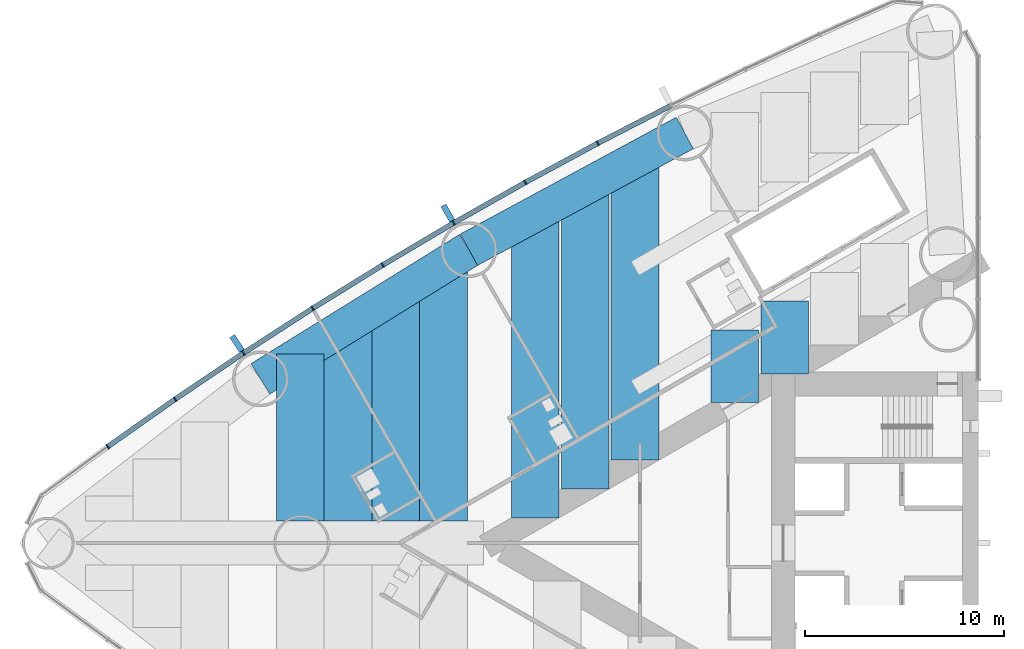
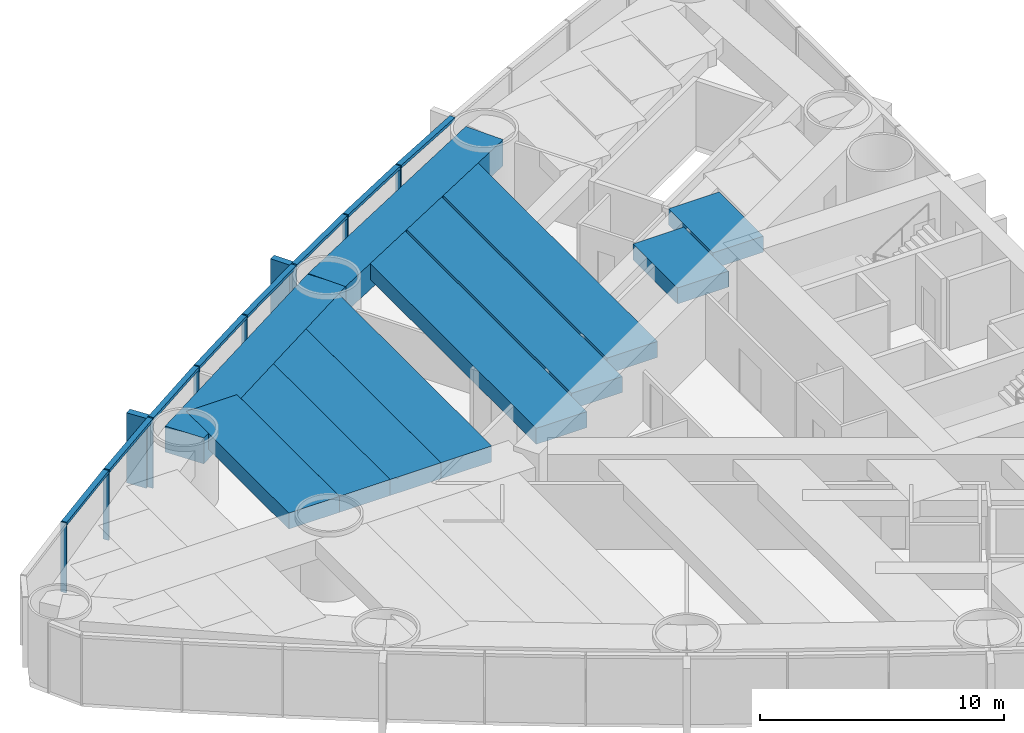
# One storey, part 4 of 19: 18 members, 11 beams, 1 element without a shape of its own.
"""IFC4 building model written with IfcOpenShell, lengths in metres."""

from ifc_helpers import new_model, si_unit, direction, frame, origin, origin_2d, place, context, subcontext, project, spatial, rectangle, extrude, material, material_profile, profile_set, type_object, element, aggregate, save


model = new_model("IFC4")

# Units and contexts
model_context = context("Model", 3, precision=1e-05, world=origin(), true_north=direction((0.0, 1.0)))
body_context = subcontext(model_context, "Body", "Model", "MODEL_VIEW")
ifc_project = project(units=[si_unit("LENGTHUNIT", "METRE"), si_unit("AREAUNIT", "SQUARE_METRE"), si_unit("VOLUMEUNIT", "CUBIC_METRE"), si_unit("PLANEANGLEUNIT", "RADIAN"), si_unit("MASSUNIT", "GRAM", prefix="KILO")], contexts=[model_context])

# Site, building, storey
site_placement = place(None, origin())
site = spatial("IfcSite", under=ifc_project, at=site_placement, CompositionType="ELEMENT")
building_placement = place(site_placement, origin())
building = spatial("IfcBuilding", under=site, at=building_placement, Name="Lancet Gate Hotel", CompositionType="ELEMENT")
storey_placement = place(building_placement, frame((0.0, 0.0, 63.5)))
storey = spatial("IfcBuildingStorey", under=building, at=storey_placement, Name="L16", CompositionType="ELEMENT", Elevation=63.5)

# Curtain wall, members
ifc_material_1 = material(Name="Aluminium curtain wall", Category="aluminium")
curtain_wall_type = type_object("IfcCurtainWallType", Name="Tower unitised curtain wall", PredefinedType="USERDEFINED", material=ifc_material_1)
curtain_wall_placement = place(storey_placement, origin())
curtain_wall = element("IfcCurtainWall", 1, at=curtain_wall_placement, inside=storey, type_object=curtain_wall_type, Name="T1 L16 curtain wall 2", ObjectType="UNITISED CURTAIN WALL", PredefinedType="USERDEFINED")
ifc_material_2 = material(Name="Aluminium mullion", Category="aluminium")
ifc_material_profile_1 = material_profile(ifc_material_2, rectangle(XDim=0.06494140625, YDim=0.25, at=origin_2d()), Name="MULLION 65x250")
ifc_profile_set_1 = profile_set([ifc_material_profile_1], Name="Aluminium mullion")
member_type_1 = type_object("IfcMemberType", Name="Aluminium mullion 65x250", PredefinedType="MULLION", material=ifc_profile_set_1)
member_1_placement = place(storey_placement, frame((-46.6220703125, 20.094970703125, 0.0), z_axis=(0.0, 0.0, 1.0), x_axis=(-0.884311132302, -0.466898084475, 0.0)))
member_1 = element("IfcMember", 2, at=member_1_placement, type_object=member_type_1, Name="T1 L16 curtain wall 2 mullion 6", PredefinedType="MULLION", context=body_context, shape_type="SweptSolid", body=[
    extrude(rectangle(XDim=0.06494140625, YDim=0.25, at=origin_2d()), origin(), (0.0, 0.0, 1.0), 3.5),
])
member_2_placement = place(storey_placement, frame((-50.26416015625, 18.1259765625, 0.0), z_axis=(0.0, 0.0, 1.0), x_axis=(-0.874991035403, -0.484139120464, 0.0)))
member_2 = element("IfcMember", 3, at=member_2_placement, type_object=member_type_1, Name="T1 L16 curtain wall 2 mullion 7", PredefinedType="MULLION", context=body_context, shape_type="SweptSolid", body=[
    extrude(rectangle(XDim=0.06494140625, YDim=0.25, at=origin_2d()), origin(), (0.0, 0.0, 1.0), 3.5),
])
member_3_placement = place(storey_placement, frame((-53.866943359375, 16.086181640625, 0.0), z_axis=(0.0, 0.0, 1.0), x_axis=(-0.86533483912, -0.501194190115, 0.0)))
member_3 = element("IfcMember", 4, at=member_3_placement, type_object=member_type_1, Name="T1 L16 curtain wall 2 mullion 8", PredefinedType="MULLION", context=body_context, shape_type="SweptSolid", body=[
    extrude(rectangle(XDim=0.06494140625, YDim=0.25, at=origin_2d()), origin(), (0.0, 0.0, 1.0), 3.5),
])
member_4_placement = place(storey_placement, frame((-57.42919921875, 13.97607421875, 0.0), z_axis=(0.0, 0.0, 1.0), x_axis=(-0.855346252548, -0.518056742309, 0.0)))
member_4 = element("IfcMember", 5, at=member_4_placement, type_object=member_type_1, Name="T1 L16 curtain wall 2 mullion 9", PredefinedType="MULLION", context=body_context, shape_type="SweptSolid", body=[
    extrude(rectangle(XDim=0.06494140625, YDim=0.25, at=origin_2d()), origin(), (0.0, 0.0, 1.0), 3.5),
])
member_5_placement = place(storey_placement, frame((-60.949462890625, 11.796630859375, 0.0), z_axis=(0.0, 0.0, 1.0), x_axis=(-0.845029112489, -0.534720299827, 0.0)))
member_5 = element("IfcMember", 6, at=member_5_placement, type_object=member_type_1, Name="T1 L16 curtain wall 2 mullion 10", PredefinedType="MULLION", context=body_context, shape_type="SweptSolid", body=[
    extrude(rectangle(XDim=0.06494140625, YDim=0.25, at=origin_2d()), origin(), (0.0, 0.0, 1.0), 3.5),
])
member_6_placement = place(storey_placement, frame((-64.42626953125, 9.548583984375, 0.0), z_axis=(0.0, 0.0, 1.0), x_axis=(-0.834387381945, -0.55117846189, 0.0)))
member_6 = element("IfcMember", 7, at=member_6_placement, type_object=member_type_1, Name="T1 L16 curtain wall 2 mullion 11", PredefinedType="MULLION", context=body_context, shape_type="SweptSolid", body=[
    extrude(rectangle(XDim=0.06494140625, YDim=0.25, at=origin_2d()), origin(), (0.0, 0.0, 1.0), 3.5),
])
member_7_placement = place(storey_placement, frame((-67.858154296875, 7.232666015625, 0.0), z_axis=(0.0, 0.0, 1.0), x_axis=(-0.823425148573, -0.56742490666, 0.0)))
member_7 = element("IfcMember", 8, at=member_7_placement, type_object=member_type_1, Name="T1 L16 curtain wall 2 mullion 12", PredefinedType="MULLION", context=body_context, shape_type="SweptSolid", body=[
    extrude(rectangle(XDim=0.06494140625, YDim=0.25, at=origin_2d()), origin(), (0.0, 0.0, 1.0), 3.5),
])
member_8_placement = place(storey_placement, frame((-71.244384765625, 4.85009765625, 0.0), z_axis=(0.0, 0.0, 1.0), x_axis=(-0.812146623168, -0.583453393578, 0.0)))
member_8 = element("IfcMember", 9, at=member_8_placement, type_object=member_type_1, Name="T1 L16 curtain wall 2 mullion 13", PredefinedType="MULLION", context=body_context, shape_type="SweptSolid", body=[
    extrude(rectangle(XDim=0.06494140625, YDim=0.25, at=origin_2d()), origin(), (0.0, 0.0, 1.0), 3.5),
])
ifc_material_3 = material(Name="Aluminium transom", Category="aluminium")
ifc_material_profile_2 = material_profile(ifc_material_3, rectangle(XDim=0.25, YDim=0.14990234375, at=origin_2d()), Name="TRANSOM 250x150")
ifc_profile_set_2 = profile_set([ifc_material_profile_2], Name="Aluminium transom")
member_type_2 = type_object("IfcMemberType", Name="Aluminium transom 250x150", PredefinedType="USERDEFINED", material=ifc_profile_set_2)
member_9_placement = place(storey_placement, frame((-42.970703125, 21.97705078125, 3.425048828125), z_axis=(-0.888859972399, -0.458178949175, 0.0), x_axis=(0.458178949175, -0.888859972399, 0.0)))
member_9 = element("IfcMember", 10, at=member_9_placement, type_object=member_type_2, Name="T1 L16 curtain wall 2 transom 5", ObjectType="TRANSOM", PredefinedType="USERDEFINED", context=body_context, shape_type="SweptSolid", body=[
    extrude(rectangle(XDim=0.25, YDim=0.14990234375, at=origin_2d()), origin(), (0.0, 0.0, 1.0), 4.0751953125),
])
member_10_placement = place(storey_placement, frame((-46.650634765625, 20.079345703125, 3.425048828125), z_axis=(-0.87971396408, -0.475503250675, 0.0), x_axis=(0.475503250675, -0.87971396408, 0.0)))
member_10 = element("IfcMember", 11, at=member_10_placement, type_object=member_type_2, Name="T1 L16 curtain wall 2 transom 6", ObjectType="TRANSOM", PredefinedType="USERDEFINED", context=body_context, shape_type="SweptSolid", body=[
    extrude(rectangle(XDim=0.25, YDim=0.14990234375, at=origin_2d()), origin(), (0.0, 0.0, 1.0), 4.0751953125),
])
member_11_placement = place(storey_placement, frame((-50.29248046875, 18.110107421875, 3.425048828125), z_axis=(-0.870197729943, -0.492702659625, 0.0), x_axis=(0.492702659625, -0.870197729943, 0.0)))
member_11 = element("IfcMember", 12, at=member_11_placement, type_object=member_type_2, Name="T1 L16 curtain wall 2 transom 7", ObjectType="TRANSOM", PredefinedType="USERDEFINED", context=body_context, shape_type="SweptSolid", body=[
    extrude(rectangle(XDim=0.25, YDim=0.14990234375, at=origin_2d()), origin(), (0.0, 0.0, 1.0), 4.0751953125),
])
member_12_placement = place(storey_placement, frame((-53.89501953125, 16.069580078125, 3.425048828125), z_axis=(-0.86039174806, -0.509633240547, 0.0), x_axis=(0.509633240547, -0.86039174806, 0.0)))
member_12 = element("IfcMember", 13, at=member_12_placement, type_object=member_type_2, Name="T1 L16 curtain wall 2 transom 8", ObjectType="TRANSOM", PredefinedType="USERDEFINED", context=body_context, shape_type="SweptSolid", body=[
    extrude(rectangle(XDim=0.25, YDim=0.14990234375, at=origin_2d()), origin(), (0.0, 0.0, 1.0), 4.0751953125),
])
member_13_placement = place(storey_placement, frame((-57.456787109375, 13.958984375, 3.425048828125), z_axis=(-0.850242165643, -0.526391736032, 0.0), x_axis=(0.526391736032, -0.850242165643, 0.0)))
member_13 = element("IfcMember", 14, at=member_13_placement, type_object=member_type_2, Name="T1 L16 curtain wall 2 transom 9", ObjectType="TRANSOM", PredefinedType="USERDEFINED", context=body_context, shape_type="SweptSolid", body=[
    extrude(rectangle(XDim=0.25, YDim=0.14990234375, at=origin_2d()), origin(), (0.0, 0.0, 1.0), 4.075439453125),
])
member_14_placement = place(storey_placement, frame((-60.976806640625, 11.779052734375, 3.425048828125), z_axis=(-0.839729242404, -0.543005340169, 0.0), x_axis=(0.543005340169, -0.839729242404, 0.0)))
member_14 = element("IfcMember", 15, at=member_14_placement, type_object=member_type_2, Name="T1 L16 curtain wall 2 transom 10", ObjectType="TRANSOM", PredefinedType="USERDEFINED", context=body_context, shape_type="SweptSolid", body=[
    extrude(rectangle(XDim=0.25, YDim=0.14990234375, at=origin_2d()), origin(), (0.0, 0.0, 1.0), 4.0751953125),
])
member_15_placement = place(storey_placement, frame((-64.453125, 9.5302734375, 3.425048828125), z_axis=(-0.828959086782, -0.559309245804, 0.0), x_axis=(0.559309245804, -0.828959086782, 0.0)))
member_15 = element("IfcMember", 16, at=member_15_placement, type_object=member_type_2, Name="T1 L16 curtain wall 2 transom 11", ObjectType="TRANSOM", PredefinedType="USERDEFINED", context=body_context, shape_type="SweptSolid", body=[
    extrude(rectangle(XDim=0.25, YDim=0.14990234375, at=origin_2d()), origin(), (0.0, 0.0, 1.0), 4.0751953125),
])
member_16_placement = place(storey_placement, frame((-67.884765625, 7.214111328125, 3.425048828125), z_axis=(-0.817833568345, -0.57545482402, 0.0), x_axis=(0.57545482402, -0.817833568345, 0.0)))
member_16 = element("IfcMember", 17, at=member_16_placement, type_object=member_type_2, Name="T1 L16 curtain wall 2 transom 12", ObjectType="TRANSOM", PredefinedType="USERDEFINED", context=body_context, shape_type="SweptSolid", body=[
    extrude(rectangle(XDim=0.25, YDim=0.14990234375, at=origin_2d()), origin(), (0.0, 0.0, 1.0), 4.075439453125),
])

# Beams
ifc_material_4 = material(Name="Concrete C50/60", Category="concrete")
ifc_material_profile_3 = material_profile(ifc_material_4, rectangle(XDim=1.800048828125, YDim=1.300048828125, at=origin_2d()), Name="RC 1800x1300")
ifc_profile_set_3 = profile_set([ifc_material_profile_3], Name="Concrete C50/60")
beam_type_1 = type_object("IfcBeamType", Name="Edge beam RC 1800x1300", PredefinedType="SPANDREL", material=ifc_profile_set_3)
for number, where, z_axis, x_axis, name in (
    (18, (-42.2451171875, 20.607421875, 2.60009765625), (-0.879692855603, -0.475542300749, 0.0), (0.475542300749, -0.879692855603, 0.0), "T1 edge beam EB1 L16"),
    (19, (-53.090087890625, 14.744873046875, 2.60009765625), (-0.850225894333, -0.526418016984, 0.0), (0.526418016984, -0.850225894333, 0.0), "T1 edge beam EB1 L16"),
):
    element("IfcBeam", number, at=place(storey_placement, frame(where, z_axis=z_axis, x_axis=x_axis)), inside=storey, type_object=beam_type_1, Name=name, PredefinedType="SPANDREL", context=body_context, shape_type="SweptSolid", body=[
        extrude(rectangle(XDim=1.800048828125, YDim=1.300048828125, at=origin_2d()), origin(), (0.0, 0.0, 1.0), 12.328125),
    ])

# Member
ifc_material_5 = material(Name="Precast concrete C50/60", Category="concrete")
ifc_material_profile_4 = material_profile(ifc_material_5, rectangle(XDim=0.300048828125, YDim=0.89990234375, at=origin_2d()), Name="FIN 300x900")
ifc_profile_set_4 = profile_set([ifc_material_profile_4], Name="Precast concrete C50/60")
member_type_3 = type_object("IfcMemberType", Name="Exposed concrete fin 300x900", PredefinedType="USERDEFINED", material=ifc_profile_set_4)
member_17_placement = place(storey_placement, frame((-54.1552734375, 16.583740234375, 0.0), z_axis=(0.0, 0.0, 1.0), x_axis=(-0.86533483912, -0.501194190115, 0.0)))
member_17 = element("IfcMember", 20, at=member_17_placement, type_object=member_type_3, Name="T1 L16 curtain wall 2 fin 8", ObjectType="FIN", PredefinedType="USERDEFINED", context=body_context, shape_type="SweptSolid", body=[
    extrude(rectangle(XDim=0.300048828125, YDim=0.89990234375, at=origin_2d()), origin(), (0.0, 0.0, 1.0), 3.5),
])

member_18_placement = place(storey_placement, frame((-64.7431640625, 10.0283203125, 0.0), z_axis=(0.0, 0.0, 1.0), x_axis=(-0.834387381945, -0.55117846189, 0.0)))
member_18 = element("IfcMember", 21, at=member_18_placement, type_object=member_type_3, Name="T1 L16 curtain wall 2 fin 11", ObjectType="FIN", PredefinedType="USERDEFINED", context=body_context, shape_type="SweptSolid", body=[
    extrude(rectangle(XDim=0.300048828125, YDim=0.89990234375, at=origin_2d()), origin(), (0.0, 0.0, 1.0), 3.5),
])

aggregate(curtain_wall, [member_1, member_2, member_3, member_17, member_4, member_5, member_6, member_18, member_7, member_8, member_9, member_10, member_11, member_12, member_13, member_14, member_15, member_16])

# Beams
ifc_material_6 = material(Name="Concrete C50/60", Category="concrete")
ifc_material_profile_5 = material_profile(ifc_material_6, rectangle(XDim=2.39990234375, YDim=0.800048828125, at=origin_2d()), Name="RC 2400x800")
ifc_profile_set_5 = profile_set([ifc_material_profile_5], Name="Concrete C50/60")
beam_type_2 = type_object("IfcBeamType", Name="Floor beam RC 2400x800", PredefinedType="BEAM", material=ifc_profile_set_5)
beam_1_placement = place(storey_placement, frame((-44.747802734375, 19.254638671875, 2.85009765625), z_axis=(0.0, -1.0, 0.0), x_axis=(1.0, 0.0, 0.0)))
element("IfcBeam", 22, at=beam_1_placement, inside=storey, type_object=beam_type_2, Name="T1 floor beam F09S L16", PredefinedType="BEAM", context=body_context, shape_type="SweptSolid", body=[
    extrude(rectangle(XDim=2.39990234375, YDim=0.800048828125, at=origin_2d()), origin(), (0.0, 0.0, 1.0), 15.0859375),
])
beam_2_placement = place(storey_placement, frame((-47.254638671875, 17.8994140625, 2.85009765625), z_axis=(0.0, -1.0, 0.0), x_axis=(1.0, 0.0, 0.0)))
element("IfcBeam", 23, at=beam_2_placement, inside=storey, type_object=beam_type_2, Name="T1 floor beam F10S L16", PredefinedType="BEAM", context=body_context, shape_type="SweptSolid", body=[
    extrude(rectangle(XDim=2.39990234375, YDim=0.800048828125, at=origin_2d()), origin(), (0.0, 0.0, 1.0), 15.177978515625),
])
beam_3_placement = place(storey_placement, frame((-49.761474609375, 16.54443359375, 2.85009765625), z_axis=(0.0, -1.0, 0.0), x_axis=(1.0, 0.0, 0.0)))
element("IfcBeam", 24, at=beam_3_placement, inside=storey, type_object=beam_type_2, Name="T1 floor beam F12S L16", PredefinedType="BEAM", context=body_context, shape_type="SweptSolid", body=[
    extrude(rectangle(XDim=2.39990234375, YDim=0.800048828125, at=origin_2d()), origin(), (0.0, 0.0, 1.0), 15.270263671875),
])
beam_4_placement = place(storey_placement, frame((-54.3681640625, 13.95361328125, 2.85009765625), z_axis=(0.0, -1.0, 0.0), x_axis=(1.0, 0.0, 0.0)))
element("IfcBeam", 25, at=beam_4_placement, inside=storey, type_object=beam_type_2, Name="T1 floor beam F13S L16", PredefinedType="BEAM", context=body_context, shape_type="SweptSolid", body=[
    extrude(rectangle(XDim=2.39990234375, YDim=0.800048828125, at=origin_2d()), origin(), (0.0, 0.0, 1.0), 12.853515625),
])
beam_5_placement = place(storey_placement, frame((-56.768310546875, 12.467529296875, 2.85009765625), z_axis=(0.0, -1.0, 0.0), x_axis=(1.0, 0.0, 0.0)))
element("IfcBeam", 26, at=beam_5_placement, inside=storey, type_object=beam_type_2, Name="T1 floor beam F15S L16", PredefinedType="BEAM", context=body_context, shape_type="SweptSolid", body=[
    extrude(rectangle(XDim=2.39990234375, YDim=0.800048828125, at=origin_2d()), origin(), (0.0, 0.0, 1.0), 11.367431640625),
])
beam_6_placement = place(storey_placement, frame((-59.168212890625, 10.981689453125, 2.85009765625), z_axis=(0.0, -1.0, 0.0), x_axis=(1.0, 0.0, 0.0)))
element("IfcBeam", 27, at=beam_6_placement, inside=storey, type_object=beam_type_2, Name="T1 floor beam F17S L16", PredefinedType="BEAM", context=body_context, shape_type="SweptSolid", body=[
    extrude(rectangle(XDim=2.39990234375, YDim=0.800048828125, at=origin_2d()), origin(), (0.0, 0.0, 1.0), 9.881591796875),
])
beam_7_placement = place(storey_placement, frame((-61.568359375, 9.495849609375, 2.85009765625), z_axis=(0.0, -1.0, 0.0), x_axis=(1.0, 0.0, 0.0)))
element("IfcBeam", 28, at=beam_7_placement, inside=storey, type_object=beam_type_2, Name="T1 floor beam F19S L16", PredefinedType="BEAM", context=body_context, shape_type="SweptSolid", body=[
    extrude(rectangle(XDim=2.39990234375, YDim=0.800048828125, at=origin_2d()), origin(), (0.0, 0.0, 1.0), 8.395751953125),
])
beam_8_placement = place(storey_placement, frame((-37.227294921875, 12.15625, 2.85009765625), z_axis=(0.0, -1.0, 0.0), x_axis=(1.0, 0.0, 0.0)))
element("IfcBeam", 29, at=beam_8_placement, inside=storey, type_object=beam_type_2, Name="T1 floor beam F05SB L16", PredefinedType="BEAM", context=body_context, shape_type="SweptSolid", body=[
    extrude(rectangle(XDim=2.39990234375, YDim=0.800048828125, at=origin_2d()), origin(), (0.0, 0.0, 1.0), 3.6455078125),
])
beam_9_placement = place(storey_placement, frame((-39.734130859375, 10.708740234375, 2.85009765625), z_axis=(0.0, -1.0, 0.0), x_axis=(1.0, 0.0, 0.0)))
element("IfcBeam", 30, at=beam_9_placement, inside=storey, type_object=beam_type_2, Name="T1 floor beam F07SB L16", PredefinedType="BEAM", context=body_context, shape_type="SweptSolid", body=[
    extrude(rectangle(XDim=2.39990234375, YDim=0.800048828125, at=origin_2d()), origin(), (0.0, 0.0, 1.0), 3.645263671875),
])

save(model, "model.ifc")
